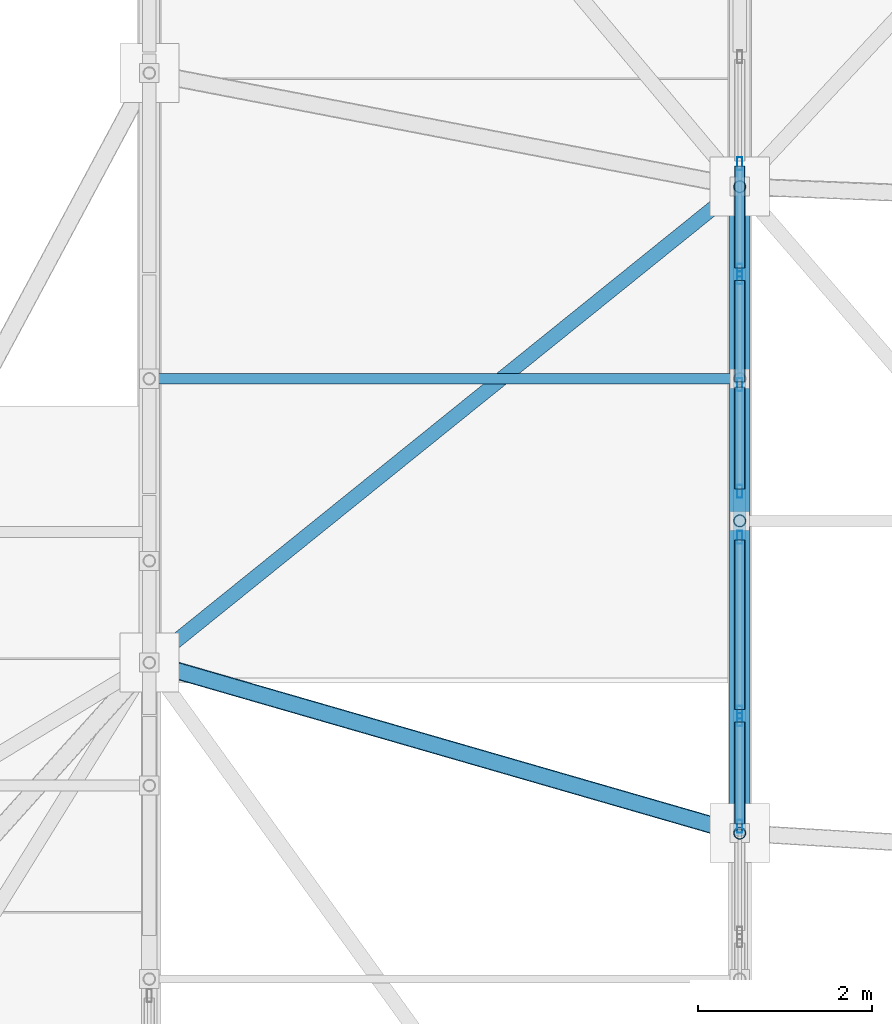
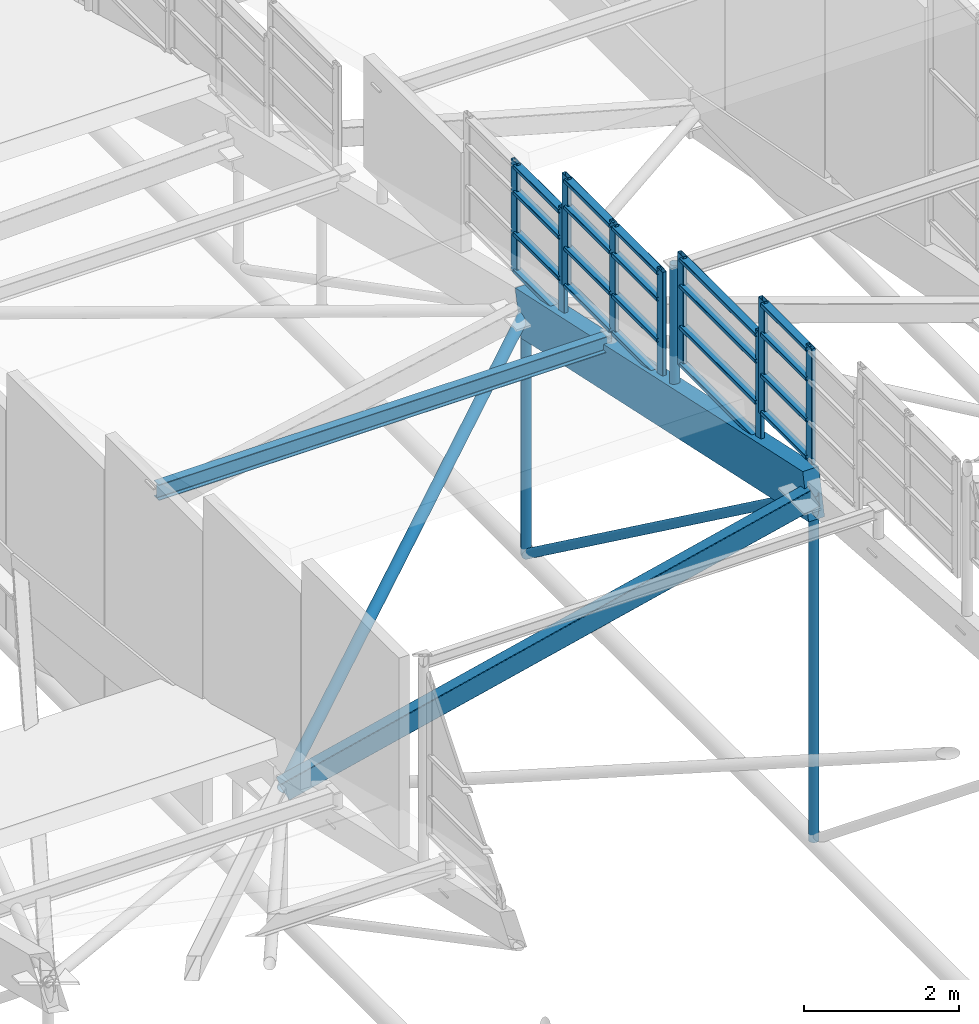
# One storey, part 46 of 188: 37 members, 4 elements without a shape of their own.
"""IFC4 building model written with IfcOpenShell, lengths in metres."""

import ifcopenshell
import ifcopenshell.guid

model = None  # the IFC model being written
_history = None  # IfcOwnerHistory: only IFC2X3 demands one
_inside = {}  # id of a spatial element -> (the spatial element, [elements in it])
_under = {}  # id of a project, library or spatial element -> (it, [spatial elements below it])
_declared = {}  # id of a project -> (the project, [libraries it declares])
_typed = {}  # id of a type object -> (the type object, [elements of that type])
_made_of = {}  # id of a material, layer set ... -> (it, [elements and type objects made of it])


def new_model(schema):
    """Start an empty IFC model of exactly this schema.

    Asked for "IFC4X3", IfcOpenShell would pick the latest addendum, in which some entities
    have other attributes; the version numbers below select the first issue.
    IFC2X3 requires an IfcOwnerHistory on every rooted entity: one is made here for all.
    """
    global model, _history
    if schema == "IFC4X3":
        model = ifcopenshell.file(schema_version=(4, 3, 0, 0))
    else:
        model = ifcopenshell.file(schema=schema)
    _inside.clear()
    _under.clear()
    _declared.clear()
    _typed.clear()
    _made_of.clear()
    _history = None
    if model.schema == "IFC2X3":
        org = make("IfcOrganization", Name="unknown")
        user = make(
            "IfcPersonAndOrganization",
            ThePerson=make("IfcPerson", FamilyName="unknown"),
            TheOrganization=org,
        )
        app = make(
            "IfcApplication",
            ApplicationDeveloper=org,
            Version="unknown",
            ApplicationFullName="unknown",
            ApplicationIdentifier="unknown",
        )
        _history = make(
            "IfcOwnerHistory",
            OwningUser=user,
            OwningApplication=app,
            ChangeAction="ADDED",
            CreationDate=0,
        )
    return model


def make(cls, **values):
    """One entity of the class cls with the attributes given. An attribute that is None is left unset."""
    return model.create_entity(
        cls, **{name: value for name, value in values.items() if value is not None}
    )


def rooted(cls, **values):
    """An entity with a GlobalId (a new one), such as an element, a storey or a relation."""
    return make(cls, GlobalId=ifcopenshell.guid.new(), OwnerHistory=_history, **values)


def si_unit(unit_type, name, prefix=None):
    """IfcSIUnit, for example si_unit("LENGTHUNIT", "METRE", prefix="MILLI")."""
    return make("IfcSIUnit", UnitType=unit_type, Prefix=prefix, Name=name)


def assignment(units):
    """IfcUnitAssignment: the units of a project."""
    return None if units is None else make("IfcUnitAssignment", Units=units)


def point(xyz):
    """IfcCartesianPoint."""
    return None if xyz is None else make("IfcCartesianPoint", Coordinates=xyz)


def direction(xyz):
    """IfcDirection."""
    return None if xyz is None else make("IfcDirection", DirectionRatios=xyz)


def frame(location, z_axis=None, x_axis=None):
    """IfcAxis2Placement3D, a coordinate frame: its origin and axes. An axis left out is left unset."""
    return make(
        "IfcAxis2Placement3D",
        Location=point(location),
        Axis=direction(z_axis),
        RefDirection=direction(x_axis),
    )


def frame_2d(location, x_axis=None):
    """IfcAxis2Placement2D, a coordinate frame in the plane: its origin and x axis."""
    return make(
        "IfcAxis2Placement2D", Location=point(location), RefDirection=direction(x_axis)
    )


def origin():
    """The frame at (0, 0, 0) with its axes left unset."""
    return frame((0.0, 0.0, 0.0))


def origin_2d():
    """The frame at (0, 0) in the plane with its x axis left unset."""
    return frame_2d((0.0, 0.0))


def place(relative_to, where):
    """IfcLocalPlacement: puts the frame where relative to a parent placement (None: the world)."""
    return make(
        "IfcLocalPlacement", PlacementRelTo=relative_to, RelativePlacement=where
    )


def context(
    kind, dimensions, precision=None, world=None, true_north=None, identifier=None
):
    """IfcGeometricRepresentationContext, for example the 3D "Model" context."""
    return make(
        "IfcGeometricRepresentationContext",
        ContextIdentifier=identifier,
        ContextType=kind,
        CoordinateSpaceDimension=dimensions,
        Precision=precision,
        WorldCoordinateSystem=world,
        TrueNorth=true_north,
    )


def subcontext(parent, identifier, kind, view, scale=None):
    """IfcGeometricRepresentationSubContext, for example "Body" below "Model"."""
    return make(
        "IfcGeometricRepresentationSubContext",
        ContextIdentifier=identifier,
        ContextType=kind,
        ParentContext=parent,
        TargetScale=scale,
        TargetView=view,
    )


def project(units=None, contexts=None):
    """IfcProject with its units and contexts."""
    return rooted(
        "IfcProject",
        Name="project",
        RepresentationContexts=contexts,
        UnitsInContext=assignment(units),
    )


def spatial(cls, under=None, at=None, **own):
    """A site, building, storey or space (cls), placed at a placement, below another one or the project."""
    s = rooted(cls, ObjectPlacement=at, **own)
    if under is not None:
        _under.setdefault(under.id(), (under, []))[1].append(s)
    return s


def profile(cls, at=None, kind="AREA", **sizes):
    """A parametric profile (cls). Its sizes go by their IFC names, for example OverallWidth=200.0."""
    return make(cls, ProfileType=kind, Position=at, **sizes)


def rectangle(**sizes):
    """IfcRectangleProfileDef."""
    return profile("IfcRectangleProfileDef", **sizes)


def hollow_rectangle(**sizes):
    """IfcRectangleHollowProfileDef."""
    return profile("IfcRectangleHollowProfileDef", **sizes)


def hollow_circle(**sizes):
    """IfcCircleHollowProfileDef."""
    return profile("IfcCircleHollowProfileDef", **sizes)


def i_section(**sizes):
    """IfcIShapeProfileDef."""
    return profile("IfcIShapeProfileDef", **sizes)


def extrude(swept, where, along, depth):
    """IfcExtrudedAreaSolid: the profile swept, set in the frame where, extruded along a direction by depth."""
    return make(
        "IfcExtrudedAreaSolid",
        SweptArea=swept,
        Position=where,
        ExtrudedDirection=direction(along),
        Depth=depth,
    )


def shape(context_of_items, identifier, shape_type, items):
    """IfcShapeRepresentation: the items that make up one representation, for example the "Body"."""
    return make(
        "IfcShapeRepresentation",
        ContextOfItems=context_of_items,
        RepresentationIdentifier=identifier,
        RepresentationType=shape_type,
        Items=items,
    )


def material(Name=None, Category=None):
    """IfcMaterial."""
    return make("IfcMaterial", Name=Name, Category=Category)


def layer(
    of_material, thickness, ventilated=None, Name=None, Category=None, Priority=None
):
    """IfcMaterialLayer: one layer of a wall or slab, of a material (None: an air gap)."""
    return make(
        "IfcMaterialLayer",
        Material=of_material,
        LayerThickness=thickness,
        IsVentilated=ventilated,
        Name=Name,
        Category=Category,
        Priority=Priority,
    )


def layer_set(layers, Name=None):
    """IfcMaterialLayerSet."""
    return make("IfcMaterialLayerSet", MaterialLayers=layers, LayerSetName=Name)


def material_profile(
    of_material, cross_section, Name=None, Category=None, Priority=None
):
    """IfcMaterialProfile: a cross section and its material."""
    return make(
        "IfcMaterialProfile",
        Name=Name,
        Material=of_material,
        Profile=cross_section,
        Priority=Priority,
        Category=Category,
    )


def profile_set(profiles, Name=None, composite=None):
    """IfcMaterialProfileSet."""
    return make(
        "IfcMaterialProfileSet",
        Name=Name,
        MaterialProfiles=profiles,
        CompositeProfile=composite,
    )


def made_of(thing, what):
    """Note that an element or type object is made of a material, layer set ...; save() writes the relation."""
    if what is not None:
        _made_of.setdefault(what.id(), (what, []))[1].append(thing)
    return thing


def type_object(cls, material=None, **own):
    """A type object (cls), such as IfcWallType, which elements share."""
    return made_of(rooted(cls, **own), material)


def element(
    cls,
    number,
    at=None,
    inside=None,
    cuts=None,
    type_object=None,
    material=None,
    context=None,
    identifier="Body",
    shape_type=None,
    held_by="IfcProductDefinitionShape",
    body=None,
    shapes=None,
    **own,
):
    """One element of the class cls, such as IfcWall. Its Tag is "e" and its number.

    at: its placement. inside: the storey or other place that contains it. cuts: it is an
    opening in that element (IfcRelVoidsElement). A single representation is given by context,
    identifier, shape_type and body (its items); several are given by shapes. held_by: the class
    of the entity that holds the representations. save() writes the other relations.
    """
    e = rooted(cls, Tag="e%d" % number, ObjectPlacement=at, **own)
    if body is not None:
        shapes = [shape(context, identifier, shape_type, body)]
    if shapes is not None:
        e.Representation = make(held_by, Representations=shapes)
    if inside is not None:
        _inside.setdefault(inside.id(), (inside, []))[1].append(e)
    if cuts is not None:
        rooted(
            "IfcRelVoidsElement", RelatingBuildingElement=cuts, RelatedOpeningElement=e
        )
    if type_object is not None:
        _typed.setdefault(type_object.id(), (type_object, []))[1].append(e)
    return made_of(e, material)


def aggregate(whole, parts):
    """IfcRelAggregates: a whole, such as a stair, and the parts it consists of."""
    return rooted("IfcRelAggregates", RelatingObject=whole, RelatedObjects=parts)


def save(model, path):
    """Write the relations noted so far, then the file.

    IfcRelAggregates (storeys below a building ...), IfcRelContainedInSpatialStructure (elements
    in a storey), IfcRelDefinesByType, IfcRelAssociatesMaterial and IfcRelDeclares: one each for
    every whole, place, type object, material and project.
    """
    for whole, parts in _under.values():
        aggregate(whole, parts)
    for where, things in _inside.values():
        rooted(
            "IfcRelContainedInSpatialStructure",
            RelatedElements=things,
            RelatingStructure=where,
        )
    for kind, things in _typed.values():
        rooted("IfcRelDefinesByType", RelatedObjects=things, RelatingType=kind)
    for what, things in _made_of.values():
        rooted("IfcRelAssociatesMaterial", RelatedObjects=things, RelatingMaterial=what)
    for by, libraries in _declared.values():
        rooted("IfcRelDeclares", RelatingContext=by, RelatedDefinitions=libraries)
    model.write(path)


model = new_model("IFC4")

# Units and contexts
model_context = context("Model", 3, precision=1e-05, world=origin(), true_north=direction((0.0, 1.0)))
body_context = subcontext(model_context, "Body", "Model", "MODEL_VIEW")
ifc_project = project(units=[si_unit("LENGTHUNIT", "METRE"), si_unit("AREAUNIT", "SQUARE_METRE"), si_unit("VOLUMEUNIT", "CUBIC_METRE"), si_unit("PLANEANGLEUNIT", "RADIAN"), si_unit("MASSUNIT", "GRAM", prefix="KILO")], contexts=[model_context])

# Site, building, storey
site_placement = place(None, origin())
site = spatial("IfcSite", under=ifc_project, at=site_placement, CompositionType="ELEMENT")
building_placement = place(site_placement, origin())
building = spatial("IfcBuilding", under=site, at=building_placement, Name="Kisaragi Civic Commons", CompositionType="ELEMENT")
storey_placement = place(building_placement, frame((0.0, 0.0, 9.60009765625)))
storey = spatial("IfcBuildingStorey", under=building, at=storey_placement, Name="L02", CompositionType="ELEMENT", Elevation=9.60009765625)

# Member
ifc_material_1 = material(Name="Steel SN400 (SN400B)", Category="steel")
ifc_material_profile_1 = material_profile(ifc_material_1, hollow_circle(Radius=0.08251953125, WallThickness=0.006103515625, at=origin_2d()), Name="CHS-165.2x6.0", Category="steel")
ifc_profile_set_1 = profile_set([ifc_material_profile_1], Name="Steel SN400 (SN400B)")
member_type_1 = type_object("IfcMemberType", Name="BR-02", PredefinedType="BRACE", material=ifc_profile_set_1)
member_1_placement = place(storey_placement, frame((6.800048828125, 42.028564453125, 1.305908203125), z_axis=(0.761591133207, 0.61393766251, 0.2075078128), x_axis=(-0.62759836997, 0.77853727336, 0.0)))
element("IfcMember", 1, at=member_1_placement, inside=storey, type_object=member_type_1, Name="V1 diagonal gridshell steel brace 11", PredefinedType="BRACE", context=body_context, shape_type="SweptSolid", body=[
    extrude(hollow_circle(Radius=0.08251953125, WallThickness=0.006103515625, at=origin_2d()), origin(), (0.0, 0.0, 1.0), 8.9287109375),
])

# Curtain wall, members
ifc_material_2 = material(Name="Thermally broken anodized aluminium and low-E double glazing", Category="aluminium")
ifc_layer = layer(ifc_material_2, 0.14990234375, Name="Thermally broken anodized aluminium and low-E double glazing", Category="aluminium")
ifc_layer_set = layer_set([ifc_layer], Name="Thermally broken anodized aluminium and low-E double glazing")
curtain_wall_type = type_object("IfcCurtainWallType", Name="CW-03", PredefinedType="NOTDEFINED", material=ifc_layer_set)
curtain_wall_1_placement = place(storey_placement, origin())
curtain_wall_1 = element("IfcCurtainWall", 2, at=curtain_wall_1_placement, inside=storey, type_object=curtain_wall_type, Name="L02 curtain wall CW-03 CW-CL-V1-145", PredefinedType="NOTDEFINED")
ifc_material_profile_2 = material_profile(ifc_material_2, hollow_rectangle(XDim=0.06005859375, YDim=0.14990234375, WallThickness=0.00390625, InnerFilletRadius=0.00390625, OuterFilletRadius=0.008056640625, at=origin_2d()), Name="CWM-60x150x4", Category="aluminium")
ifc_profile_set_2 = profile_set([ifc_material_profile_2], Name="Thermally broken anodized aluminium and low-E double glazing")
member_type_2 = type_object("IfcMemberType", Name="CWM-01", PredefinedType="MULLION", material=ifc_profile_set_2)
member_2_placement = place(storey_placement, frame((13.60009765625, 40.141845703125, 5.239990234375), z_axis=(0.0, 0.0, 1.0), x_axis=(-1.0, 0.0, 0.0)))
member_2 = element("IfcMember", 3, at=member_2_placement, type_object=member_type_2, Name="CW-03 mullion 2", PredefinedType="MULLION", context=body_context, shape_type="SweptSolid", body=[
    extrude(hollow_rectangle(XDim=0.06005859375, YDim=0.14990234375, WallThickness=0.00390625, InnerFilletRadius=0.00390625, OuterFilletRadius=0.008056640625, at=origin_2d()), origin(), (0.0, 0.0, 1.0), 1.826171875),
])
member_3_placement = place(storey_placement, frame((13.60009765625, 41.3720703125, 5.239990234375), z_axis=(0.0, 0.0, 1.0), x_axis=(-1.0, 0.0, 0.0)))
member_3 = element("IfcMember", 4, at=member_3_placement, type_object=member_type_2, Name="CW-03 mullion 3", PredefinedType="MULLION", context=body_context, shape_type="SweptSolid", body=[
    extrude(hollow_rectangle(XDim=0.06005859375, YDim=0.14990234375, WallThickness=0.00390625, InnerFilletRadius=0.00390625, OuterFilletRadius=0.008056640625, at=origin_2d()), origin(), (0.0, 0.0, 1.0), 1.826171875),
])

curtain_wall_2_placement = place(storey_placement, origin())
curtain_wall_2 = element("IfcCurtainWall", 5, at=curtain_wall_2_placement, inside=storey, type_object=curtain_wall_type, Name="L02 curtain wall CW-03 CW-CL-V1-146", PredefinedType="NOTDEFINED")
member_4_placement = place(storey_placement, frame((13.60009765625, 41.4560546875, 4.722412109375), z_axis=(0.0, 0.0, 1.0), x_axis=(-1.0, 0.0, 0.0)))
member_4 = element("IfcMember", 6, at=member_4_placement, type_object=member_type_2, Name="CW-03 mullion 1", PredefinedType="MULLION", context=body_context, shape_type="SweptSolid", body=[
    extrude(hollow_rectangle(XDim=0.06005859375, YDim=0.14990234375, WallThickness=0.00390625, InnerFilletRadius=0.00390625, OuterFilletRadius=0.008056640625, at=origin_2d()), origin(), (0.0, 0.0, 1.0), 1.77978515625),
])
member_5_placement = place(storey_placement, frame((13.60009765625, 43.471435546875, 4.722412109375), z_axis=(0.0, 0.0, 1.0), x_axis=(-1.0, 0.0, 0.0)))
member_5 = element("IfcMember", 7, at=member_5_placement, type_object=member_type_2, Name="CW-03 mullion 2", PredefinedType="MULLION", context=body_context, shape_type="SweptSolid", body=[
    extrude(hollow_rectangle(XDim=0.06005859375, YDim=0.14990234375, WallThickness=0.00390625, InnerFilletRadius=0.00390625, OuterFilletRadius=0.008056640625, at=origin_2d()), origin(), (0.0, 0.0, 1.0), 1.77978515625),
])

curtain_wall_3_placement = place(storey_placement, origin())
curtain_wall_3 = element("IfcCurtainWall", 8, at=curtain_wall_3_placement, inside=storey, type_object=curtain_wall_type, Name="L02 curtain wall CW-03 CW-CL-V1-147", PredefinedType="NOTDEFINED")
member_6_placement = place(storey_placement, frame((13.60009765625, 44.00048828125, 4.158203125), z_axis=(0.0, 0.0, 1.0), x_axis=(-1.0, 0.0, 0.0)))
member_6 = element("IfcMember", 9, at=member_6_placement, type_object=member_type_2, Name="CW-03 mullion 1", PredefinedType="MULLION", context=body_context, shape_type="SweptSolid", body=[
    extrude(hollow_rectangle(XDim=0.06005859375, YDim=0.14990234375, WallThickness=0.00390625, InnerFilletRadius=0.00390625, OuterFilletRadius=0.008056640625, at=origin_2d()), origin(), (0.0, 0.0, 1.0), 1.77978515625),
])
member_7_placement = place(storey_placement, frame((13.60009765625, 45.230712890625, 4.158203125), z_axis=(0.0, 0.0, 1.0), x_axis=(-1.0, 0.0, 0.0)))
member_7 = element("IfcMember", 10, at=member_7_placement, type_object=member_type_2, Name="CW-03 mullion 2", PredefinedType="MULLION", context=body_context, shape_type="SweptSolid", body=[
    extrude(hollow_rectangle(XDim=0.06005859375, YDim=0.14990234375, WallThickness=0.00390625, InnerFilletRadius=0.00390625, OuterFilletRadius=0.008056640625, at=origin_2d()), origin(), (0.0, 0.0, 1.0), 1.77978515625),
])
member_8_placement = place(storey_placement, frame((13.60009765625, 46.4609375, 4.158203125), z_axis=(0.0, 0.0, 1.0), x_axis=(-1.0, 0.0, 0.0)))
member_8 = element("IfcMember", 11, at=member_8_placement, type_object=member_type_2, Name="CW-03 mullion 3", PredefinedType="MULLION", context=body_context, shape_type="SweptSolid", body=[
    extrude(hollow_rectangle(XDim=0.06005859375, YDim=0.14990234375, WallThickness=0.00390625, InnerFilletRadius=0.00390625, OuterFilletRadius=0.008056640625, at=origin_2d()), origin(), (0.0, 0.0, 1.0), 1.77978515625),
])

curtain_wall_4_placement = place(storey_placement, origin())
curtain_wall_4 = element("IfcCurtainWall", 12, at=curtain_wall_4_placement, inside=storey, type_object=curtain_wall_type, Name="L02 curtain wall CW-03 CW-CL-V1-148", PredefinedType="NOTDEFINED")
member_9_placement = place(storey_placement, frame((13.60009765625, 46.544921875, 3.593994140625), z_axis=(0.0, 0.0, 1.0), x_axis=(-1.0, 0.0, 0.0)))
member_9 = element("IfcMember", 13, at=member_9_placement, type_object=member_type_2, Name="CW-03 mullion 1", PredefinedType="MULLION", context=body_context, shape_type="SweptSolid", body=[
    extrude(hollow_rectangle(XDim=0.06005859375, YDim=0.14990234375, WallThickness=0.00390625, InnerFilletRadius=0.00390625, OuterFilletRadius=0.008056640625, at=origin_2d()), origin(), (0.0, 0.0, 1.0), 1.770751953125),
])
member_10_placement = place(storey_placement, frame((13.60009765625, 47.775146484375, 3.593994140625), z_axis=(0.0, 0.0, 1.0), x_axis=(-1.0, 0.0, 0.0)))
member_10 = element("IfcMember", 14, at=member_10_placement, type_object=member_type_2, Name="CW-03 mullion 2", PredefinedType="MULLION", context=body_context, shape_type="SweptSolid", body=[
    extrude(hollow_rectangle(XDim=0.06005859375, YDim=0.14990234375, WallThickness=0.00390625, InnerFilletRadius=0.00390625, OuterFilletRadius=0.008056640625, at=origin_2d()), origin(), (0.0, 0.0, 1.0), 1.770751953125),
])

# Member
ifc_material_profile_3 = material_profile(ifc_material_2, hollow_rectangle(XDim=0.1201171875, YDim=0.06005859375, WallThickness=0.00390625, InnerFilletRadius=0.00390625, OuterFilletRadius=0.008056640625, at=origin_2d()), Name="CWT-60x120x4", Category="aluminium")
ifc_profile_set_3 = profile_set([ifc_material_profile_3], Name="Thermally broken anodized aluminium and low-E double glazing")
member_type_3 = type_object("IfcMemberType", Name="CWT-01", PredefinedType="USERDEFINED", material=ifc_profile_set_3)
member_11_placement = place(storey_placement, frame((13.60009765625, 40.171875, 5.300048828125), z_axis=(0.0, 1.0, 0.0), x_axis=(-1.0, 0.0, 0.0)))
member_11 = element("IfcMember", 15, at=member_11_placement, type_object=member_type_3, Name="CW-03 transom 2.1", ObjectType="TRANSOM", PredefinedType="USERDEFINED", context=body_context, shape_type="SweptSolid", body=[
    extrude(hollow_rectangle(XDim=0.1201171875, YDim=0.06005859375, WallThickness=0.00390625, InnerFilletRadius=0.00390625, OuterFilletRadius=0.008056640625, at=origin_2d()), origin(), (0.0, 0.0, 1.0), 1.170166015625),
])

member_12_placement = place(storey_placement, frame((13.60009765625, 40.171875, 5.889892578125), z_axis=(0.0, 1.0, 0.0), x_axis=(-1.0, 0.0, 0.0)))
member_12 = element("IfcMember", 16, at=member_12_placement, type_object=member_type_3, Name="CW-03 transom 2.2", ObjectType="TRANSOM", PredefinedType="USERDEFINED", context=body_context, shape_type="SweptSolid", body=[
    extrude(hollow_rectangle(XDim=0.1201171875, YDim=0.06005859375, WallThickness=0.00390625, InnerFilletRadius=0.00390625, OuterFilletRadius=0.008056640625, at=origin_2d()), origin(), (0.0, 0.0, 1.0), 1.170166015625),
])

member_13_placement = place(storey_placement, frame((13.60009765625, 40.171875, 6.5400390625), z_axis=(0.0, 1.0, 0.0), x_axis=(-1.0, 0.0, 0.0)))
member_13 = element("IfcMember", 17, at=member_13_placement, type_object=member_type_3, Name="CW-03 transom 2.3", ObjectType="TRANSOM", PredefinedType="USERDEFINED", context=body_context, shape_type="SweptSolid", body=[
    extrude(hollow_rectangle(XDim=0.1201171875, YDim=0.06005859375, WallThickness=0.00390625, InnerFilletRadius=0.00390625, OuterFilletRadius=0.008056640625, at=origin_2d()), origin(), (0.0, 0.0, 1.0), 1.170166015625),
])

member_14_placement = place(storey_placement, frame((13.60009765625, 40.171875, 7.006103515625), z_axis=(0.0, 1.0, 0.0), x_axis=(-1.0, 0.0, 0.0)))
member_14 = element("IfcMember", 18, at=member_14_placement, type_object=member_type_3, Name="CW-03 transom 2.4", ObjectType="TRANSOM", PredefinedType="USERDEFINED", context=body_context, shape_type="SweptSolid", body=[
    extrude(hollow_rectangle(XDim=0.1201171875, YDim=0.06005859375, WallThickness=0.00390625, InnerFilletRadius=0.00390625, OuterFilletRadius=0.008056640625, at=origin_2d()), origin(), (0.0, 0.0, 1.0), 1.170166015625),
])

aggregate(curtain_wall_1, [member_2, member_3, member_11, member_12, member_13, member_14])

member_15_placement = place(storey_placement, frame((13.60009765625, 41.486083984375, 4.7822265625), z_axis=(0.0, 1.0, 0.0), x_axis=(-1.0, 0.0, 0.0)))
member_15 = element("IfcMember", 19, at=member_15_placement, type_object=member_type_3, Name="CW-03 transom 1.1", ObjectType="TRANSOM", PredefinedType="USERDEFINED", context=body_context, shape_type="SweptSolid", body=[
    extrude(hollow_rectangle(XDim=0.1201171875, YDim=0.06005859375, WallThickness=0.00390625, InnerFilletRadius=0.00390625, OuterFilletRadius=0.008056640625, at=origin_2d()), origin(), (0.0, 0.0, 1.0), 1.955322265625),
])

member_16_placement = place(storey_placement, frame((13.60009765625, 41.486083984375, 5.372314453125), z_axis=(0.0, 1.0, 0.0), x_axis=(-1.0, 0.0, 0.0)))
member_16 = element("IfcMember", 20, at=member_16_placement, type_object=member_type_3, Name="CW-03 transom 1.2", ObjectType="TRANSOM", PredefinedType="USERDEFINED", context=body_context, shape_type="SweptSolid", body=[
    extrude(hollow_rectangle(XDim=0.1201171875, YDim=0.06005859375, WallThickness=0.00390625, InnerFilletRadius=0.00390625, OuterFilletRadius=0.008056640625, at=origin_2d()), origin(), (0.0, 0.0, 1.0), 1.955322265625),
])

member_17_placement = place(storey_placement, frame((13.60009765625, 41.486083984375, 6.022216796875), z_axis=(0.0, 1.0, 0.0), x_axis=(-1.0, 0.0, 0.0)))
member_17 = element("IfcMember", 21, at=member_17_placement, type_object=member_type_3, Name="CW-03 transom 1.3", ObjectType="TRANSOM", PredefinedType="USERDEFINED", context=body_context, shape_type="SweptSolid", body=[
    extrude(hollow_rectangle(XDim=0.1201171875, YDim=0.06005859375, WallThickness=0.00390625, InnerFilletRadius=0.00390625, OuterFilletRadius=0.008056640625, at=origin_2d()), origin(), (0.0, 0.0, 1.0), 1.955322265625),
])

member_18_placement = place(storey_placement, frame((13.60009765625, 41.486083984375, 6.442138671875), z_axis=(0.0, 1.0, 0.0), x_axis=(-1.0, 0.0, 0.0)))
member_18 = element("IfcMember", 22, at=member_18_placement, type_object=member_type_3, Name="CW-03 transom 1.4", ObjectType="TRANSOM", PredefinedType="USERDEFINED", context=body_context, shape_type="SweptSolid", body=[
    extrude(hollow_rectangle(XDim=0.1201171875, YDim=0.06005859375, WallThickness=0.00390625, InnerFilletRadius=0.00390625, OuterFilletRadius=0.008056640625, at=origin_2d()), origin(), (0.0, 0.0, 1.0), 1.955322265625),
])

aggregate(curtain_wall_2, [member_4, member_5, member_15, member_16, member_17, member_18])

member_19_placement = place(storey_placement, frame((13.60009765625, 44.030517578125, 4.21826171875), z_axis=(0.0, 1.0, 0.0), x_axis=(-1.0, 0.0, 0.0)))
member_19 = element("IfcMember", 23, at=member_19_placement, type_object=member_type_3, Name="CW-03 transom 1.1", ObjectType="TRANSOM", PredefinedType="USERDEFINED", context=body_context, shape_type="SweptSolid", body=[
    extrude(hollow_rectangle(XDim=0.1201171875, YDim=0.06005859375, WallThickness=0.00390625, InnerFilletRadius=0.00390625, OuterFilletRadius=0.008056640625, at=origin_2d()), origin(), (0.0, 0.0, 1.0), 1.170166015625),
])

member_20_placement = place(storey_placement, frame((13.60009765625, 44.030517578125, 4.80810546875), z_axis=(0.0, 1.0, 0.0), x_axis=(-1.0, 0.0, 0.0)))
member_20 = element("IfcMember", 24, at=member_20_placement, type_object=member_type_3, Name="CW-03 transom 1.2", ObjectType="TRANSOM", PredefinedType="USERDEFINED", context=body_context, shape_type="SweptSolid", body=[
    extrude(hollow_rectangle(XDim=0.1201171875, YDim=0.06005859375, WallThickness=0.00390625, InnerFilletRadius=0.00390625, OuterFilletRadius=0.008056640625, at=origin_2d()), origin(), (0.0, 0.0, 1.0), 1.170166015625),
])

member_21_placement = place(storey_placement, frame((13.60009765625, 44.030517578125, 5.458251953125), z_axis=(0.0, 1.0, 0.0), x_axis=(-1.0, 0.0, 0.0)))
member_21 = element("IfcMember", 25, at=member_21_placement, type_object=member_type_3, Name="CW-03 transom 1.3", ObjectType="TRANSOM", PredefinedType="USERDEFINED", context=body_context, shape_type="SweptSolid", body=[
    extrude(hollow_rectangle(XDim=0.1201171875, YDim=0.06005859375, WallThickness=0.00390625, InnerFilletRadius=0.00390625, OuterFilletRadius=0.008056640625, at=origin_2d()), origin(), (0.0, 0.0, 1.0), 1.170166015625),
])

member_22_placement = place(storey_placement, frame((13.60009765625, 44.030517578125, 5.8779296875), z_axis=(0.0, 1.0, 0.0), x_axis=(-1.0, 0.0, 0.0)))
member_22 = element("IfcMember", 26, at=member_22_placement, type_object=member_type_3, Name="CW-03 transom 1.4", ObjectType="TRANSOM", PredefinedType="USERDEFINED", context=body_context, shape_type="SweptSolid", body=[
    extrude(hollow_rectangle(XDim=0.1201171875, YDim=0.06005859375, WallThickness=0.00390625, InnerFilletRadius=0.00390625, OuterFilletRadius=0.008056640625, at=origin_2d()), origin(), (0.0, 0.0, 1.0), 1.170166015625),
])

member_23_placement = place(storey_placement, frame((13.60009765625, 45.2607421875, 4.21826171875), z_axis=(0.0, 1.0, 0.0), x_axis=(-1.0, 0.0, 0.0)))
member_23 = element("IfcMember", 27, at=member_23_placement, type_object=member_type_3, Name="CW-03 transom 2.1", ObjectType="TRANSOM", PredefinedType="USERDEFINED", context=body_context, shape_type="SweptSolid", body=[
    extrude(hollow_rectangle(XDim=0.1201171875, YDim=0.06005859375, WallThickness=0.00390625, InnerFilletRadius=0.00390625, OuterFilletRadius=0.008056640625, at=origin_2d()), origin(), (0.0, 0.0, 1.0), 1.170166015625),
])

member_24_placement = place(storey_placement, frame((13.60009765625, 45.2607421875, 4.80810546875), z_axis=(0.0, 1.0, 0.0), x_axis=(-1.0, 0.0, 0.0)))
member_24 = element("IfcMember", 28, at=member_24_placement, type_object=member_type_3, Name="CW-03 transom 2.2", ObjectType="TRANSOM", PredefinedType="USERDEFINED", context=body_context, shape_type="SweptSolid", body=[
    extrude(hollow_rectangle(XDim=0.1201171875, YDim=0.06005859375, WallThickness=0.00390625, InnerFilletRadius=0.00390625, OuterFilletRadius=0.008056640625, at=origin_2d()), origin(), (0.0, 0.0, 1.0), 1.170166015625),
])

member_25_placement = place(storey_placement, frame((13.60009765625, 45.2607421875, 5.458251953125), z_axis=(0.0, 1.0, 0.0), x_axis=(-1.0, 0.0, 0.0)))
member_25 = element("IfcMember", 29, at=member_25_placement, type_object=member_type_3, Name="CW-03 transom 2.3", ObjectType="TRANSOM", PredefinedType="USERDEFINED", context=body_context, shape_type="SweptSolid", body=[
    extrude(hollow_rectangle(XDim=0.1201171875, YDim=0.06005859375, WallThickness=0.00390625, InnerFilletRadius=0.00390625, OuterFilletRadius=0.008056640625, at=origin_2d()), origin(), (0.0, 0.0, 1.0), 1.170166015625),
])

member_26_placement = place(storey_placement, frame((13.60009765625, 45.2607421875, 5.8779296875), z_axis=(0.0, 1.0, 0.0), x_axis=(-1.0, 0.0, 0.0)))
member_26 = element("IfcMember", 30, at=member_26_placement, type_object=member_type_3, Name="CW-03 transom 2.4", ObjectType="TRANSOM", PredefinedType="USERDEFINED", context=body_context, shape_type="SweptSolid", body=[
    extrude(hollow_rectangle(XDim=0.1201171875, YDim=0.06005859375, WallThickness=0.00390625, InnerFilletRadius=0.00390625, OuterFilletRadius=0.008056640625, at=origin_2d()), origin(), (0.0, 0.0, 1.0), 1.170166015625),
])

aggregate(curtain_wall_3, [member_6, member_7, member_8, member_19, member_20, member_21, member_22, member_23, member_24, member_25, member_26])

member_27_placement = place(storey_placement, frame((13.60009765625, 46.574951171875, 3.654052734375), z_axis=(0.0, 1.0, 0.0), x_axis=(-1.0, 0.0, 0.0)))
member_27 = element("IfcMember", 31, at=member_27_placement, type_object=member_type_3, Name="CW-03 transom 1.1", ObjectType="TRANSOM", PredefinedType="USERDEFINED", context=body_context, shape_type="SweptSolid", body=[
    extrude(hollow_rectangle(XDim=0.1201171875, YDim=0.06005859375, WallThickness=0.00390625, InnerFilletRadius=0.00390625, OuterFilletRadius=0.008056640625, at=origin_2d()), origin(), (0.0, 0.0, 1.0), 1.17041015625),
])

member_28_placement = place(storey_placement, frame((13.60009765625, 46.574951171875, 4.244140625), z_axis=(0.0, 1.0, 0.0), x_axis=(-1.0, 0.0, 0.0)))
member_28 = element("IfcMember", 32, at=member_28_placement, type_object=member_type_3, Name="CW-03 transom 1.2", ObjectType="TRANSOM", PredefinedType="USERDEFINED", context=body_context, shape_type="SweptSolid", body=[
    extrude(hollow_rectangle(XDim=0.1201171875, YDim=0.06005859375, WallThickness=0.00390625, InnerFilletRadius=0.00390625, OuterFilletRadius=0.008056640625, at=origin_2d()), origin(), (0.0, 0.0, 1.0), 1.17041015625),
])

member_29_placement = place(storey_placement, frame((13.60009765625, 46.574951171875, 4.89404296875), z_axis=(0.0, 1.0, 0.0), x_axis=(-1.0, 0.0, 0.0)))
member_29 = element("IfcMember", 33, at=member_29_placement, type_object=member_type_3, Name="CW-03 transom 1.3", ObjectType="TRANSOM", PredefinedType="USERDEFINED", context=body_context, shape_type="SweptSolid", body=[
    extrude(hollow_rectangle(XDim=0.1201171875, YDim=0.06005859375, WallThickness=0.00390625, InnerFilletRadius=0.00390625, OuterFilletRadius=0.008056640625, at=origin_2d()), origin(), (0.0, 0.0, 1.0), 1.17041015625),
])

member_30_placement = place(storey_placement, frame((13.60009765625, 46.574951171875, 5.3046875), z_axis=(0.0, 1.0, 0.0), x_axis=(-1.0, 0.0, 0.0)))
member_30 = element("IfcMember", 34, at=member_30_placement, type_object=member_type_3, Name="CW-03 transom 1.4", ObjectType="TRANSOM", PredefinedType="USERDEFINED", context=body_context, shape_type="SweptSolid", body=[
    extrude(hollow_rectangle(XDim=0.1201171875, YDim=0.06005859375, WallThickness=0.00390625, InnerFilletRadius=0.00390625, OuterFilletRadius=0.008056640625, at=origin_2d()), origin(), (0.0, 0.0, 1.0), 1.17041015625),
])

aggregate(curtain_wall_4, [member_9, member_10, member_27, member_28, member_29, member_30])

# Members
ifc_material_3 = material(Name="Steel SN490 (SN490B)", Category="steel")
ifc_material_profile_4 = material_profile(ifc_material_3, hollow_rectangle(XDim=0.199951171875, YDim=0.300048828125, WallThickness=0.009033203125, InnerFilletRadius=0.009033203125, OuterFilletRadius=0.01806640625, at=origin_2d()), Name="STKR-300x200x9", Category="steel")
ifc_profile_set_4 = profile_set([ifc_material_profile_4], Name="Steel SN490 (SN490B)")
member_type_4 = type_object("IfcMemberType", Name="GC-02", PredefinedType="CHORD", material=ifc_profile_set_4)
member_31_placement = place(storey_placement, frame((6.800048828125, 42.028564453125, 1.305908203125), z_axis=(0.862989113009, -0.249170949155, 0.439503844039), x_axis=(0.277398860566, 0.960754844982, 0.0)))
element("IfcMember", 35, at=member_31_placement, inside=storey, type_object=member_type_4, Name="V1 wave gridshell chord GC-02 12", PredefinedType="CHORD", context=body_context, shape_type="SweptSolid", body=[
    extrude(hollow_rectangle(XDim=0.199951171875, YDim=0.300048828125, WallThickness=0.009033203125, InnerFilletRadius=0.009033203125, OuterFilletRadius=0.01806640625, at=origin_2d()), origin(), (0.0, 0.0, 1.0), 7.879638671875),
])
ifc_material_4 = material(Name="Glulam E120-F330", Category="wood")
ifc_material_profile_5 = material_profile(ifc_material_4, rectangle(XDim=0.239990234375, YDim=0.719970703125, at=origin_2d()), Name="GL-240x720", Category="wood")
ifc_profile_set_5 = profile_set([ifc_material_profile_5], Name="Glulam E120-F330")
member_type_5 = type_object("IfcMemberType", Name="GR-02", PredefinedType="RAFTER", material=ifc_profile_set_5)
member_32_placement = place(storey_placement, frame((13.60009765625, 40.065185546875, 4.76904296875), z_axis=(0.0, 0.977397700789, -0.211408927182), x_axis=(-1.0, 0.0, 0.0)))
element("IfcMember", 36, at=member_32_placement, inside=storey, type_object=member_type_5, Name="V1 glulam arch rib GR-02 22", PredefinedType="RAFTER", context=body_context, shape_type="SweptSolid", body=[
    extrude(rectangle(XDim=0.239990234375, YDim=0.719970703125, at=origin_2d()), origin(), (0.0, 0.0, 1.0), 7.6171875),
])
ifc_material_profile_6 = material_profile(ifc_material_1, i_section(OverallWidth=0.125, OverallDepth=0.25, WebThickness=0.006103515625, FlangeThickness=0.009033203125, FilletRadius=0.008056640625, at=origin_2d()), Name="H-250x125x6x9", Category="steel")
ifc_profile_set_6 = profile_set([ifc_material_profile_6], Name="Steel SN400 (SN400B)")
member_type_6 = type_object("IfcMemberType", Name="PR-01", PredefinedType="PURLIN", material=ifc_profile_set_6)
member_33_placement = place(storey_placement, frame((6.800048828125, 45.297607421875, 4.035400390625), z_axis=(1.0, 0.0, 0.0), x_axis=(0.0, 1.0, 0.0)))
element("IfcMember", 37, at=member_33_placement, inside=storey, type_object=member_type_6, Name="V1 wave vault steel purlin 14", PredefinedType="PURLIN", context=body_context, shape_type="SweptSolid", body=[
    extrude(i_section(OverallWidth=0.125, OverallDepth=0.25, WebThickness=0.006103515625, FlangeThickness=0.009033203125, FilletRadius=0.008056640625, at=origin_2d()), origin(), (0.0, 0.0, 1.0), 6.800048828125),
])
ifc_material_profile_7 = material_profile(ifc_material_3, hollow_circle(Radius=0.06982421875, WallThickness=0.006103515625, at=origin_2d()), Name="CHS-139.8x6.0", Category="steel")
ifc_profile_set_7 = profile_set([ifc_material_profile_7], Name="Steel SN490 (SN490B)")
member_type_7 = type_object("IfcMemberType", Name="ST-H1", PredefinedType="STRUT", material=ifc_profile_set_7)
member_34_placement = place(storey_placement, frame((13.60009765625, 40.065185546875, -0.691162109375), z_axis=(0.0, 0.0, 1.0), x_axis=(1.0, 0.0, 0.0)))
element("IfcMember", 38, at=member_34_placement, inside=storey, type_object=member_type_7, Name="V1 arch tie hanger strut 34", PredefinedType="STRUT", context=body_context, shape_type="SweptSolid", body=[
    extrude(hollow_circle(Radius=0.06982421875, WallThickness=0.006103515625, at=origin_2d()), origin(), (0.0, 0.0, 1.0), 5.460205078125),
])
member_35_placement = place(storey_placement, frame((13.60009765625, 47.51025390625, -0.691162109375), z_axis=(0.0, 0.0, 1.0), x_axis=(1.0, 0.0, 0.0)))
element("IfcMember", 39, at=member_35_placement, inside=storey, type_object=member_type_7, Name="V1 arch tie hanger strut 35", PredefinedType="STRUT", context=body_context, shape_type="SweptSolid", body=[
    extrude(hollow_circle(Radius=0.06982421875, WallThickness=0.006103515625, at=origin_2d()), origin(), (0.0, 0.0, 1.0), 3.849853515625),
])
member_36_placement = place(storey_placement, frame((13.60009765625, 47.51025390625, -0.691162109375), z_axis=(0.0, -0.806379774905, 0.591398054296), x_axis=(1.0, 0.0, 0.0)))
element("IfcMember", 40, at=member_36_placement, inside=storey, type_object=member_type_7, Name="V1 tied arch truss diagonal web strut 41", PredefinedType="STRUT", context=body_context, shape_type="SweptSolid", body=[
    extrude(hollow_circle(Radius=0.06982421875, WallThickness=0.006103515625, at=origin_2d()), origin(), (0.0, 0.0, 1.0), 9.232666015625),
])
member_37_placement = place(storey_placement, frame((13.60009765625, 43.66162109375, 3.9912109375), z_axis=(0.0, 0.0, 1.0), x_axis=(1.0, 0.0, 0.0)))
element("IfcMember", 41, at=member_37_placement, inside=storey, type_object=member_type_7, Name="V1 clerestory monitor horizontal tie strut 3.2.6", PredefinedType="STRUT", context=body_context, shape_type="SweptSolid", body=[
    extrude(hollow_circle(Radius=0.06982421875, WallThickness=0.006103515625, at=origin_2d()), origin(), (0.0, 0.0, 1.0), 2.251708984375),
])

save(model, "model.ifc")
